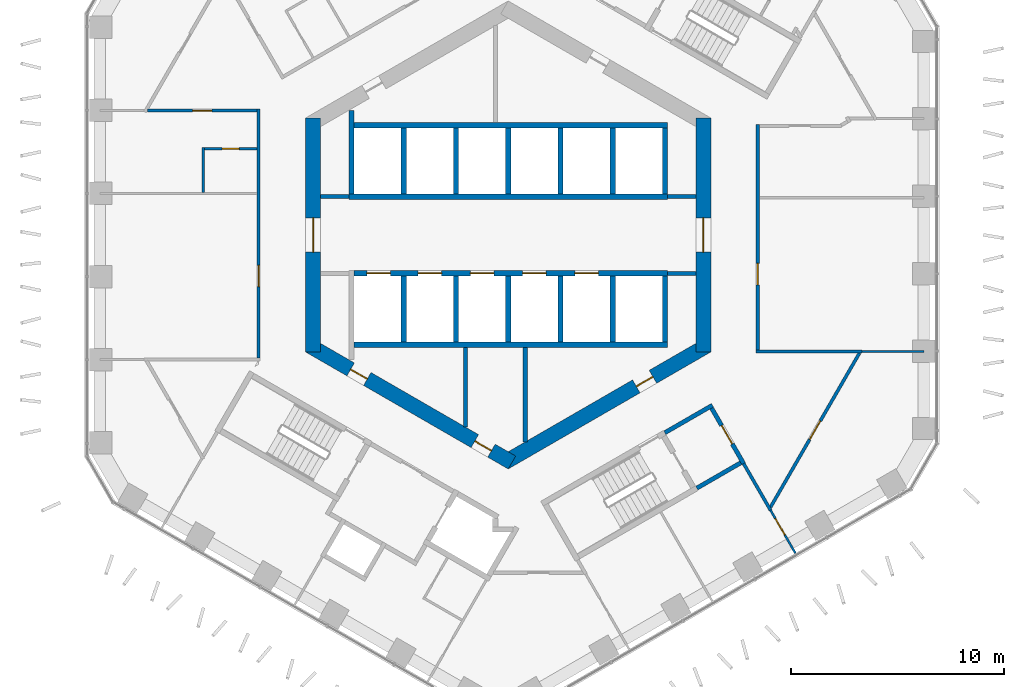
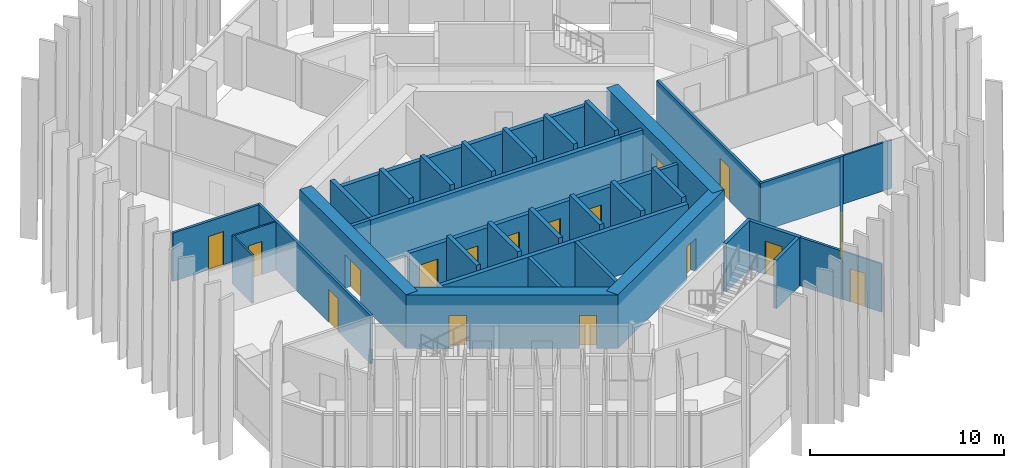
# One storey, part 13 of 19: 39 walls, 17 doors, 17 openings.
"""IFC4 building model written with IfcOpenShell, lengths in metres."""

from ifc_helpers import new_model, si_unit, direction, frame, frame_2d, origin, place, context, subcontext, project, spatial, rectangle, extrude, material, layer, layer_set, type_object, element, fill, save


model = new_model("IFC4")

# Units and contexts
model_context = context("Model", 3, precision=1e-05, world=origin(), true_north=direction((0.0, 1.0)))
body_context = subcontext(model_context, "Body", "Model", "MODEL_VIEW")
ifc_project = project(units=[si_unit("LENGTHUNIT", "METRE"), si_unit("AREAUNIT", "SQUARE_METRE"), si_unit("VOLUMEUNIT", "CUBIC_METRE"), si_unit("PLANEANGLEUNIT", "RADIAN"), si_unit("MASSUNIT", "GRAM", prefix="KILO")], contexts=[model_context])

# Site, building, storey
site_placement = place(None, origin())
site = spatial("IfcSite", under=ifc_project, at=site_placement, CompositionType="ELEMENT")
building_placement = place(site_placement, origin())
building = spatial("IfcBuilding", under=site, at=building_placement, Name="Ayvan Gate Tower", CompositionType="ELEMENT")
storey_placement = place(building_placement, frame((0.0, 0.0, 103.5)))
storey = spatial("IfcBuildingStorey", under=building, at=storey_placement, Name="L27", CompositionType="ELEMENT", Elevation=103.5)

# Wall, opening, door
ifc_material_1 = material(Name="Concrete C70/85", Category="concrete")
ifc_layer_1 = layer(ifc_material_1, 0.699951171875)
ifc_layer_set_1 = layer_set([ifc_layer_1], Name="Concrete C70/85")
wall_type_1 = type_object("IfcWallType", Name="Core wall 700 C70/85", PredefinedType="SHEAR", material=ifc_layer_set_1)
wall_1_placement = place(storey_placement, frame((9.14990234375, -5.48486328125, 0.0), z_axis=(0.0, 0.0, 1.0), x_axis=(0.0, 1.0, 0.0)))
wall_1 = element("IfcWall", 1, at=wall_1_placement, inside=storey, type_object=wall_type_1, Name="CORE-L27-0", PredefinedType="SHEAR", context=body_context, shape_type="SweptSolid", body=[
    extrude(rectangle(XDim=10.9697265625, YDim=0.699951171875, at=frame_2d((5.48486328125, 0.0))), origin(), (0.0, 0.0, 1.0), 3.39990234375),
])
opening_1_placement = place(wall_1_placement, frame((4.684814453125, 0.0, 0.0)))
opening_1 = element("IfcOpeningElement", 2, at=opening_1_placement, cuts=wall_1, Name="Opening L27-D44", PredefinedType="OPENING", context=body_context, shape_type="SweptSolid", body=[
    extrude(rectangle(XDim=1.60009765625, YDim=2.10009765625, at=frame_2d((0.800048828125, 1.050048828125))), frame((0.0, 0.35986328125, 0.0), z_axis=(0.0, -1.0, 0.0), x_axis=(1.0, 0.0, 0.0)), (0.0, 0.0, 1.0), 0.719970703125),
])
ifc_material_2 = material(Name="Timber door leaf", Category="wood")
door_type_1 = type_object("IfcDoorType", Name="DT-1600", OperationType="NOTDEFINED", PredefinedType="DOOR", material=ifc_material_2)
door_1_placement = place(opening_1_placement, origin())
door_1 = element("IfcDoor", 3, at=door_1_placement, inside=storey, type_object=door_type_1, Name="CD-L27-44", OperationType="SINGLE_SWING_LEFT", OverallHeight=2.10009765625, OverallWidth=1.60009765625, PredefinedType="DOOR", context=body_context, shape_type="SweptSolid", body=[
    extrude(rectangle(XDim=1.60009765625, YDim=2.10009765625, at=frame_2d((0.800048828125, 1.050048828125))), frame((0.0, 0.02490234375, 0.0), z_axis=(0.0, -1.0, 0.0), x_axis=(1.0, 0.0, 0.0)), (0.0, 0.0, 1.0), 0.050048828125),
])
fill(opening_1, door_1)

wall_2_placement = place(storey_placement, frame((-9.14990234375, 5.48486328125, 0.0), z_axis=(0.0, 0.0, 1.0), x_axis=(0.0, -1.0, 0.0)))
wall_2 = element("IfcWall", 4, at=wall_2_placement, inside=storey, type_object=wall_type_1, Name="CORE-L27-3", PredefinedType="SHEAR", context=body_context, shape_type="SweptSolid", body=[
    extrude(rectangle(XDim=10.9697265625, YDim=0.699951171875, at=frame_2d((5.48486328125, 0.0))), origin(), (0.0, 0.0, 1.0), 3.39990234375),
])
opening_2_placement = place(wall_2_placement, frame((4.684814453125, 0.0, 0.0)))
opening_2 = element("IfcOpeningElement", 5, at=opening_2_placement, cuts=wall_2, Name="Opening L27-D45", PredefinedType="OPENING", context=body_context, shape_type="SweptSolid", body=[
    extrude(rectangle(XDim=1.60009765625, YDim=2.10009765625, at=frame_2d((0.800048828125, 1.050048828125))), frame((0.0, 0.35986328125, 0.0), z_axis=(0.0, -1.0, 0.0), x_axis=(1.0, 0.0, 0.0)), (0.0, 0.0, 1.0), 0.719970703125),
])
door_2_placement = place(opening_2_placement, origin())
door_2 = element("IfcDoor", 6, at=door_2_placement, inside=storey, type_object=door_type_1, Name="CD-L27-45", OperationType="SINGLE_SWING_RIGHT", OverallHeight=2.10009765625, OverallWidth=1.60009765625, PredefinedType="DOOR", context=body_context, shape_type="SweptSolid", body=[
    extrude(rectangle(XDim=1.60009765625, YDim=2.10009765625, at=frame_2d((0.800048828125, 1.050048828125))), frame((0.0, 0.02490234375, 0.0), z_axis=(0.0, -1.0, 0.0), x_axis=(1.0, 0.0, 0.0)), (0.0, 0.0, 1.0), 0.050048828125),
])
fill(opening_2, door_2)

# Wall, openings, doors
wall_3_placement = place(storey_placement, frame((-9.324951171875, -5.181640625, 0.0), z_axis=(0.0, 0.0, 1.0), x_axis=(0.866023993627, -0.500002442456, 0.0)))
wall_3 = element("IfcWall", 7, at=wall_3_placement, inside=storey, type_object=wall_type_1, Name="CORE-L27-4", PredefinedType="SHEAR", context=body_context, shape_type="SweptSolid", body=[
    extrude(rectangle(XDim=10.9697265625, YDim=0.699951171875, at=frame_2d((5.48486328125, 0.0))), origin(), (0.0, 0.0, 1.0), 3.39990234375),
])
opening_3_placement = place(wall_3_placement, frame((2.2392578125, 0.0, 0.0)))
opening_3 = element("IfcOpeningElement", 8, at=opening_3_placement, cuts=wall_3, Name="Opening L27-D41", PredefinedType="OPENING", context=body_context, shape_type="SweptSolid", body=[
    extrude(rectangle(XDim=0.89990234375, YDim=2.10009765625, at=frame_2d((0.449951171875, 1.050048828125))), frame((0.0, 0.35986328125, 0.0), z_axis=(0.0, -1.0, 0.0), x_axis=(1.0, 0.0, 0.0)), (0.0, 0.0, 1.0), 0.719970703125),
])
opening_4_placement = place(wall_3_placement, frame((8.960205078125, 0.0, 0.0)))
opening_4 = element("IfcOpeningElement", 9, at=opening_4_placement, cuts=wall_3, Name="Opening L27-D42", PredefinedType="OPENING", context=body_context, shape_type="SweptSolid", body=[
    extrude(rectangle(XDim=0.89990234375, YDim=2.10009765625, at=frame_2d((0.449951171875, 1.050048828125))), frame((0.0, 0.35986328125, 0.0), z_axis=(0.0, -1.0, 0.0), x_axis=(1.0, 0.0, 0.0)), (0.0, 0.0, 1.0), 0.719970703125),
])
door_type_2 = type_object("IfcDoorType", Name="DT-900", OperationType="NOTDEFINED", PredefinedType="DOOR", material=ifc_material_2)
door_3_placement = place(opening_3_placement, origin())
door_3 = element("IfcDoor", 10, at=door_3_placement, inside=storey, type_object=door_type_2, Name="CD-L27-41", OperationType="SINGLE_SWING_RIGHT", OverallHeight=2.10009765625, OverallWidth=0.89990234375, PredefinedType="DOOR", context=body_context, shape_type="SweptSolid", body=[
    extrude(rectangle(XDim=0.89990234375, YDim=2.10009765625, at=frame_2d((0.449951171875, 1.050048828125))), frame((0.0, 0.02490234375, 0.0), z_axis=(0.0, -1.0, 0.0), x_axis=(1.0, 0.0, 0.0)), (0.0, 0.0, 1.0), 0.050048828125),
])
fill(opening_3, door_3)
door_4_placement = place(opening_4_placement, origin())
door_4 = element("IfcDoor", 11, at=door_4_placement, inside=storey, type_object=door_type_2, Name="CD-L27-42", OperationType="SINGLE_SWING_LEFT", OverallHeight=2.10009765625, OverallWidth=0.89990234375, PredefinedType="DOOR", context=body_context, shape_type="SweptSolid", body=[
    extrude(rectangle(XDim=0.89990234375, YDim=2.10009765625, at=frame_2d((0.449951171875, 1.050048828125))), frame((0.0, 0.02490234375, 0.0), z_axis=(0.0, -1.0, 0.0), x_axis=(1.0, 0.0, 0.0)), (0.0, 0.0, 1.0), 0.050048828125),
])
fill(opening_4, door_4)

# Wall, opening, door
wall_4_placement = place(storey_placement, frame((-0.175048828125, -10.66650390625, 0.0), z_axis=(0.0, 0.0, 1.0), x_axis=(0.866023993627, 0.500002442456, 0.0)))
wall_4 = element("IfcWall", 12, at=wall_4_placement, inside=storey, type_object=wall_type_1, Name="CORE-L27-5", PredefinedType="SHEAR", context=body_context, shape_type="SweptSolid", body=[
    extrude(rectangle(XDim=10.9697265625, YDim=0.699951171875, at=frame_2d((5.48486328125, 0.0))), origin(), (0.0, 0.0, 1.0), 3.39990234375),
])
opening_5_placement = place(wall_4_placement, frame((7.136962890625, 0.0, 0.0)))
opening_5 = element("IfcOpeningElement", 13, at=opening_5_placement, cuts=wall_4, Name="Opening L27-D43", PredefinedType="OPENING", context=body_context, shape_type="SweptSolid", body=[
    extrude(rectangle(XDim=0.89990234375, YDim=2.10009765625, at=frame_2d((0.449951171875, 1.050048828125))), frame((0.0, 0.35986328125, 0.0), z_axis=(0.0, -1.0, 0.0), x_axis=(1.0, 0.0, 0.0)), (0.0, 0.0, 1.0), 0.719970703125),
])
door_5_placement = place(opening_5_placement, origin())
door_5 = element("IfcDoor", 14, at=door_5_placement, inside=storey, type_object=door_type_2, Name="CD-L27-43", OperationType="SINGLE_SWING_RIGHT", OverallHeight=2.10009765625, OverallWidth=0.89990234375, PredefinedType="DOOR", context=body_context, shape_type="SweptSolid", body=[
    extrude(rectangle(XDim=0.89990234375, YDim=2.10009765625, at=frame_2d((0.449951171875, 1.050048828125))), frame((0.0, 0.02490234375, 0.0), z_axis=(0.0, -1.0, 0.0), x_axis=(1.0, 0.0, 0.0)), (0.0, 0.0, 1.0), 0.050048828125),
])
fill(opening_5, door_5)

ifc_material_3 = material(Name="Plasterboard on steel stud", Category="steel")
ifc_layer_2 = layer(ifc_material_3, 0.14990234375)
ifc_layer_set_2 = layer_set([ifc_layer_2], Name="Plasterboard on steel stud")
wall_type_2 = type_object("IfcWallType", Name="WT-CORR-150", PredefinedType="PARTITIONING", material=ifc_layer_set_2)
wall_5_placement = place(storey_placement, frame((-11.699951171875, 5.9091796875, 0.0), z_axis=(0.0, 0.0, 1.0), x_axis=(0.0, -1.0, 0.0)))
wall_5 = element("IfcWall", 15, at=wall_5_placement, inside=storey, type_object=wall_type_2, Name="IW-L27-013", PredefinedType="PARTITIONING", context=body_context, shape_type="SweptSolid", body=[
    extrude(rectangle(XDim=11.668212890625, YDim=0.14990234375, at=frame_2d((5.833984375, 0.0))), origin(), (0.0, 0.0, 1.0), 3.050048828125),
])
opening_6_placement = place(wall_5_placement, frame((7.331298828125, 0.0, 0.0)))
opening_6 = element("IfcOpeningElement", 16, at=opening_6_placement, cuts=wall_5, Name="Opening L27-D27", PredefinedType="OPENING", context=body_context, shape_type="SweptSolid", body=[
    extrude(rectangle(XDim=1.0, YDim=2.10009765625, at=frame_2d((0.5, 1.050048828125))), frame((0.0, 0.0849609375, 0.0), z_axis=(0.0, -1.0, 0.0), x_axis=(1.0, 0.0, 0.0)), (0.0, 0.0, 1.0), 0.169921875),
])
door_type_3 = type_object("IfcDoorType", Name="DT-1000", OperationType="NOTDEFINED", PredefinedType="DOOR", material=ifc_material_2)
door_6_placement = place(opening_6_placement, origin())
door_6 = element("IfcDoor", 17, at=door_6_placement, inside=storey, type_object=door_type_3, Name="ID-L27-027", OperationType="SINGLE_SWING_RIGHT", OverallHeight=2.10009765625, OverallWidth=1.0, PredefinedType="DOOR", context=body_context, shape_type="SweptSolid", body=[
    extrude(rectangle(XDim=1.0, YDim=2.10009765625, at=frame_2d((0.5, 1.050048828125))), frame((0.0, 0.02490234375, 0.0), z_axis=(0.0, -1.0, 0.0), x_axis=(1.0, 0.0, 0.0)), (0.0, 0.0, 1.0), 0.050048828125),
])
fill(opening_6, door_6)

wall_6_placement = place(storey_placement, frame((-11.77490234375, 5.833984375, 0.0), z_axis=(0.0, 0.0, 1.0), x_axis=(-1.0, 0.0, 0.0)))
wall_6 = element("IfcWall", 18, at=wall_6_placement, inside=storey, type_object=wall_type_2, Name="IW-L27-015", PredefinedType="PARTITIONING", context=body_context, shape_type="SweptSolid", body=[
    extrude(rectangle(XDim=5.139404296875, YDim=0.14990234375, at=frame_2d((2.56982421875, 0.0))), origin(), (0.0, 0.0, 1.0), 3.050048828125),
])
opening_7_placement = place(wall_6_placement, frame((2.11962890625, 0.0, 0.0)))
opening_7 = element("IfcOpeningElement", 19, at=opening_7_placement, cuts=wall_6, Name="Opening L27-D25", PredefinedType="OPENING", context=body_context, shape_type="SweptSolid", body=[
    extrude(rectangle(XDim=0.89990234375, YDim=2.10009765625, at=frame_2d((0.449951171875, 1.050048828125))), frame((0.0, 0.0849609375, 0.0), z_axis=(0.0, -1.0, 0.0), x_axis=(1.0, 0.0, 0.0)), (0.0, 0.0, 1.0), 0.169921875),
])
door_7_placement = place(opening_7_placement, origin())
door_7 = element("IfcDoor", 20, at=door_7_placement, inside=storey, type_object=door_type_2, Name="ID-L27-025", OperationType="SINGLE_SWING_RIGHT", OverallHeight=2.10009765625, OverallWidth=0.89990234375, PredefinedType="DOOR", context=body_context, shape_type="SweptSolid", body=[
    extrude(rectangle(XDim=0.89990234375, YDim=2.10009765625, at=frame_2d((0.449951171875, 1.050048828125))), frame((0.0, 0.02490234375, 0.0), z_axis=(0.0, -1.0, 0.0), x_axis=(1.0, 0.0, 0.0)), (0.0, 0.0, 1.0), 0.050048828125),
])
fill(opening_7, door_7)

# Wall
wall_7_placement = place(storey_placement, frame((11.625, -5.464111328125, 0.0), z_axis=(0.0, 0.0, 1.0), x_axis=(1.0, 0.0, 0.0)))
element("IfcWall", 21, at=wall_7_placement, inside=storey, type_object=wall_type_2, Name="IW-L27-100", PredefinedType="PARTITIONING", context=body_context, shape_type="SweptSolid", body=[
    extrude(rectangle(XDim=4.960205078125, YDim=0.14990234375, at=frame_2d((2.47998046875, 0.0))), origin(), (0.0, 0.0, 1.0), 3.050048828125),
])

# Wall, opening, door
wall_8_placement = place(storey_placement, frame((11.699951171875, -5.38916015625, 0.0), z_axis=(0.0, 0.0, 1.0), x_axis=(0.0, 1.0, 0.0)))
wall_8 = element("IfcWall", 22, at=wall_8_placement, inside=storey, type_object=wall_type_2, Name="IW-L27-101", PredefinedType="PARTITIONING", context=body_context, shape_type="SweptSolid", body=[
    extrude(rectangle(XDim=10.578369140625, YDim=0.14990234375, at=frame_2d((5.2890625, 0.0))), origin(), (0.0, 0.0, 1.0), 3.050048828125),
])
opening_8_placement = place(wall_8_placement, frame((3.0537109375, 0.0, 0.0)))
opening_8 = element("IfcOpeningElement", 23, at=opening_8_placement, cuts=wall_8, Name="Opening L27-D17", PredefinedType="OPENING", context=body_context, shape_type="SweptSolid", body=[
    extrude(rectangle(XDim=1.0, YDim=2.10009765625, at=frame_2d((0.5, 1.050048828125))), frame((0.0, 0.0849609375, 0.0), z_axis=(0.0, -1.0, 0.0), x_axis=(1.0, 0.0, 0.0)), (0.0, 0.0, 1.0), 0.169921875),
])
door_8_placement = place(opening_8_placement, origin())
door_8 = element("IfcDoor", 24, at=door_8_placement, inside=storey, type_object=door_type_3, Name="ID-L27-017", OperationType="SINGLE_SWING_RIGHT", OverallHeight=2.10009765625, OverallWidth=1.0, PredefinedType="DOOR", context=body_context, shape_type="SweptSolid", body=[
    extrude(rectangle(XDim=1.0, YDim=2.10009765625, at=frame_2d((0.5, 1.050048828125))), frame((0.0, 0.02490234375, 0.0), z_axis=(0.0, -1.0, 0.0), x_axis=(1.0, 0.0, 0.0)), (0.0, 0.0, 1.0), 0.050048828125),
])
fill(opening_8, door_8)

# Wall
wall_9_placement = place(storey_placement, frame((12.294921875, -12.895263671875, 0.0), z_axis=(0.0, 0.0, 1.0), x_axis=(-0.499991329354, 0.866030409726, 0.0)))
element("IfcWall", 25, at=wall_9_placement, inside=storey, type_object=wall_type_2, Name="IW-L27-104", PredefinedType="PARTITIONING", context=body_context, shape_type="SweptSolid", body=[
    extrude(rectangle(XDim=2.51513671875, YDim=0.14990234375, at=frame_2d((1.257568359375, 0.0))), origin(), (0.0, 0.0, 1.0), 3.050048828125),
])

# Wall, opening, door
wall_10_placement = place(storey_placement, frame((16.47265625, -5.529052734375, 0.0), z_axis=(0.0, 0.0, 1.0), x_axis=(-0.499985493453, -0.866033778982, 0.0)))
wall_10 = element("IfcWall", 26, at=wall_10_placement, inside=storey, type_object=wall_type_2, Name="IW-L27-117", PredefinedType="PARTITIONING", context=body_context, shape_type="SweptSolid", body=[
    extrude(rectangle(XDim=8.355712890625, YDim=0.14990234375, at=frame_2d((4.177734375, 0.0))), origin(), (0.0, 0.0, 1.0), 3.050048828125),
])
opening_9_placement = place(wall_10_placement, frame((3.677978515625, 0.0, 0.0)))
opening_9 = element("IfcOpeningElement", 27, at=opening_9_placement, cuts=wall_10, Name="Opening L27-D34", PredefinedType="OPENING", context=body_context, shape_type="SweptSolid", body=[
    extrude(rectangle(XDim=1.0, YDim=2.10009765625, at=frame_2d((0.5, 1.050048828125))), frame((0.0, 0.0849609375, 0.0), z_axis=(0.0, -1.0, 0.0), x_axis=(1.0, 0.0, 0.0)), (0.0, 0.0, 1.0), 0.169921875),
])
door_9_placement = place(opening_9_placement, origin())
door_9 = element("IfcDoor", 28, at=door_9_placement, inside=storey, type_object=door_type_3, Name="ID-L27-034", OperationType="SINGLE_SWING_LEFT", OverallHeight=2.10009765625, OverallWidth=1.0, PredefinedType="DOOR", context=body_context, shape_type="SweptSolid", body=[
    extrude(rectangle(XDim=1.0, YDim=2.10009765625, at=frame_2d((0.5, 1.050048828125))), frame((0.0, 0.02490234375, 0.0), z_axis=(0.0, -1.0, 0.0), x_axis=(1.0, 0.0, 0.0)), (0.0, 0.0, 1.0), 0.050048828125),
])
fill(opening_9, door_9)

# Wall
ifc_layer_3 = layer(ifc_material_3, 0.10009765625)
ifc_layer_set_3 = layer_set([ifc_layer_3], Name="Plasterboard on steel stud")
wall_type_3 = type_object("IfcWallType", Name="WT-PART-100", PredefinedType="PARTITIONING", material=ifc_layer_set_3)
wall_11_placement = place(storey_placement, frame((-14.300048828125, 4.0947265625, 0.0), z_axis=(0.0, 0.0, 1.0), x_axis=(0.0, -1.0, 0.0)))
element("IfcWall", 29, at=wall_11_placement, inside=storey, type_object=wall_type_3, Name="IW-L27-008", PredefinedType="PARTITIONING", context=body_context, shape_type="SweptSolid", body=[
    extrude(rectangle(XDim=2.10009765625, YDim=0.10009765625, at=frame_2d((1.050048828125, 0.0))), origin(), (0.0, 0.0, 1.0), 3.050048828125),
])

# Wall, opening, door
wall_12_placement = place(storey_placement, frame((-11.77490234375, 4.044677734375, 0.0), z_axis=(0.0, 0.0, 1.0), x_axis=(-1.0, 0.0, 0.0)))
wall_12 = element("IfcWall", 30, at=wall_12_placement, inside=storey, type_object=wall_type_3, Name="IW-L27-014", PredefinedType="PARTITIONING", context=body_context, shape_type="SweptSolid", body=[
    extrude(rectangle(XDim=2.47509765625, YDim=0.10009765625, at=frame_2d((1.237548828125, 0.0))), origin(), (0.0, 0.0, 1.0), 3.050048828125),
])
opening_10_placement = place(wall_12_placement, frame((0.83740234375, 0.0, 0.0)))
opening_10 = element("IfcOpeningElement", 31, at=opening_10_placement, cuts=wall_12, Name="Opening L27-D26", PredefinedType="OPENING", context=body_context, shape_type="SweptSolid", body=[
    extrude(rectangle(XDim=0.800048828125, YDim=2.10009765625, at=frame_2d((0.39990234375, 1.050048828125))), frame((0.0, 0.06005859375, 0.0), z_axis=(0.0, -1.0, 0.0), x_axis=(1.0, 0.0, 0.0)), (0.0, 0.0, 1.0), 0.1201171875),
])
door_type_4 = type_object("IfcDoorType", Name="DT-800", OperationType="NOTDEFINED", PredefinedType="DOOR", material=ifc_material_2)
door_10_placement = place(opening_10_placement, origin())
door_10 = element("IfcDoor", 32, at=door_10_placement, inside=storey, type_object=door_type_4, Name="ID-L27-026", OperationType="SINGLE_SWING_LEFT", OverallHeight=2.10009765625, OverallWidth=0.800048828125, PredefinedType="DOOR", context=body_context, shape_type="SweptSolid", body=[
    extrude(rectangle(XDim=0.800048828125, YDim=2.10009765625, at=frame_2d((0.39990234375, 1.050048828125))), frame((0.0, 0.02490234375, 0.0), z_axis=(0.0, -1.0, 0.0), x_axis=(1.0, 0.0, 0.0)), (0.0, 0.0, 1.0), 0.050048828125),
])
fill(opening_10, door_10)

wall_13_placement = place(storey_placement, frame((13.462646484375, -14.917724609375, 0.0), z_axis=(0.0, 0.0, 1.0), x_axis=(-0.500018062171, 0.866014975334, 0.0)))
wall_13 = element("IfcWall", 33, at=wall_13_placement, inside=storey, type_object=wall_type_3, Name="IW-L27-106", PredefinedType="PARTITIONING", context=body_context, shape_type="SweptSolid", body=[
    extrude(rectangle(XDim=2.33544921875, YDim=0.10009765625, at=frame_2d((1.167724609375, 0.0))), origin(), (0.0, 0.0, 1.0), 3.050048828125),
])
opening_11_placement = place(wall_13_placement, frame((0.978271484375, 0.0, 0.0)))
opening_11 = element("IfcOpeningElement", 34, at=opening_11_placement, cuts=wall_13, Name="Opening L27-D35", PredefinedType="OPENING", context=body_context, shape_type="SweptSolid", body=[
    extrude(rectangle(XDim=0.89990234375, YDim=2.10009765625, at=frame_2d((0.449951171875, 1.050048828125))), frame((0.0, 0.06005859375, 0.0), z_axis=(0.0, -1.0, 0.0), x_axis=(1.0, 0.0, 0.0)), (0.0, 0.0, 1.0), 0.1201171875),
])
door_11_placement = place(opening_11_placement, origin())
door_11 = element("IfcDoor", 35, at=door_11_placement, inside=storey, type_object=door_type_2, Name="ID-L27-035", OperationType="SINGLE_SWING_RIGHT", OverallHeight=2.10009765625, OverallWidth=0.89990234375, PredefinedType="DOOR", context=body_context, shape_type="SweptSolid", body=[
    extrude(rectangle(XDim=0.89990234375, YDim=2.10009765625, at=frame_2d((0.449951171875, 1.050048828125))), frame((0.0, 0.02490234375, 0.0), z_axis=(0.0, -1.0, 0.0), x_axis=(1.0, 0.0, 0.0)), (0.0, 0.0, 1.0), 0.050048828125),
])
fill(opening_11, door_11)

# Walls
wall_14_placement = place(storey_placement, frame((19.485595703125, -5.464111328125, 0.0), z_axis=(0.0, 0.0, 1.0), x_axis=(-1.0, 0.0, 0.0)))
element("IfcWall", 36, at=wall_14_placement, inside=storey, type_object=wall_type_3, Name="IW-L27-120", PredefinedType="PARTITIONING", context=body_context, shape_type="SweptSolid", body=[
    extrude(rectangle(XDim=2.900390625, YDim=0.10009765625, at=frame_2d((1.4501953125, 0.0))), origin(), (0.0, 0.0, 1.0), 3.050048828125),
])
ifc_layer_4 = layer(ifc_material_3, 0.199951171875)
ifc_layer_set_4 = layer_set([ifc_layer_4], Name="Plasterboard on steel stud")
wall_type_4 = type_object("IfcWallType", Name="WT-RATED-200", PredefinedType="PARTITIONING", material=ifc_layer_set_4)
wall_15_placement = place(storey_placement, frame((-8.800048828125, 1.800048828125, 0.0), z_axis=(0.0, 0.0, 1.0), x_axis=(1.0, 0.0, 0.0)))
element("IfcWall", 37, at=wall_15_placement, inside=storey, type_object=wall_type_4, Name="IW-L27-018", PredefinedType="PARTITIONING", context=body_context, shape_type="SweptSolid", body=[
    extrude(rectangle(XDim=1.3251953125, YDim=0.199951171875, at=frame_2d((0.66259765625, 0.0))), origin(), (0.0, 0.0, 1.0), 3.050048828125),
])
wall_16_placement = place(storey_placement, frame((-2.0, -5.27490234375, 0.0), z_axis=(0.0, 0.0, 1.0), x_axis=(0.0, -1.0, 0.0)))
element("IfcWall", 38, at=wall_16_placement, inside=storey, type_object=wall_type_4, Name="IW-L27-053", PredefinedType="PARTITIONING", context=body_context, shape_type="SweptSolid", body=[
    extrude(rectangle(XDim=3.731689453125, YDim=0.199951171875, at=frame_2d((1.86572265625, 0.0))), origin(), (0.0, 0.0, 1.0), 3.050048828125),
])
wall_17_placement = place(storey_placement, frame((0.800048828125, -5.27490234375, 0.0), z_axis=(0.0, 0.0, 1.0), x_axis=(0.0, -1.0, 0.0)))
element("IfcWall", 39, at=wall_17_placement, inside=storey, type_object=wall_type_4, Name="IW-L27-064", PredefinedType="PARTITIONING", context=body_context, shape_type="SweptSolid", body=[
    extrude(rectangle(XDim=4.424560546875, YDim=0.199951171875, at=frame_2d((2.21240234375, 0.0))), origin(), (0.0, 0.0, 1.0), 3.050048828125),
])
wall_18_placement = place(storey_placement, frame((7.343994140625, -9.27001953125, 0.0), z_axis=(0.0, 0.0, 1.0), x_axis=(0.866005588531, 0.500034319456, 0.0)))
element("IfcWall", 40, at=wall_18_placement, inside=storey, type_object=wall_type_4, Name="IW-L27-086", PredefinedType="PARTITIONING", context=body_context, shape_type="SweptSolid", body=[
    extrude(rectangle(XDim=2.574951171875, YDim=0.199951171875, at=frame_2d((1.28759765625, 0.0))), origin(), (0.0, 0.0, 1.0), 3.050048828125),
])
for number, where, z_axis, x_axis, name in (
    (41, (7.474853515625, 1.800048828125, 0.0), (0.0, 0.0, 1.0), (1.0, 0.0, 0.0), "IW-L27-087"),
    (42, (8.800048828125, -1.800048828125, 0.0), (0.0, 0.0, 1.0), (-1.0, 0.0, 0.0), "IW-L27-094"),
):
    element("IfcWall", number, at=place(storey_placement, frame(where, z_axis=z_axis, x_axis=x_axis)), inside=storey, type_object=wall_type_4, Name=name, PredefinedType="PARTITIONING", context=body_context, shape_type="SweptSolid", body=[
        extrude(rectangle(XDim=1.3251953125, YDim=0.199951171875, at=frame_2d((0.66259765625, 0.0))), origin(), (0.0, 0.0, 1.0), 3.050048828125),
    ])

# Wall, opening, door
wall_19_placement = place(storey_placement, frame((9.537353515625, -8.119140625, 0.0), z_axis=(0.0, 0.0, 1.0), x_axis=(0.499990139034, -0.866031096941, 0.0)))
wall_19 = element("IfcWall", 43, at=wall_19_placement, inside=storey, type_object=wall_type_4, Name="IW-L27-097", PredefinedType="PARTITIONING", context=body_context, shape_type="SweptSolid", body=[
    extrude(rectangle(XDim=3.0, YDim=0.199951171875, at=frame_2d((1.5, 0.0))), origin(), (0.0, 0.0, 1.0), 3.050048828125),
])
opening_12_placement = place(wall_19_placement, frame((0.93505859375, 0.0, 0.0)))
opening_12 = element("IfcOpeningElement", 44, at=opening_12_placement, cuts=wall_19, Name="Opening L27-D15", PredefinedType="OPENING", context=body_context, shape_type="SweptSolid", body=[
    extrude(rectangle(XDim=1.0, YDim=2.10009765625, at=frame_2d((0.5, 1.050048828125))), frame((0.0, 0.10986328125, 0.0), z_axis=(0.0, -1.0, 0.0), x_axis=(1.0, 0.0, 0.0)), (0.0, 0.0, 1.0), 0.219970703125),
])
door_12_placement = place(opening_12_placement, origin())
door_12 = element("IfcDoor", 45, at=door_12_placement, inside=storey, type_object=door_type_3, Name="ID-L27-015", OperationType="SINGLE_SWING_RIGHT", OverallHeight=2.10009765625, OverallWidth=1.0, PredefinedType="DOOR", context=body_context, shape_type="SweptSolid", body=[
    extrude(rectangle(XDim=1.0, YDim=2.10009765625, at=frame_2d((0.5, 1.050048828125))), frame((0.0, 0.02490234375, 0.0), z_axis=(0.0, -1.0, 0.0), x_axis=(1.0, 0.0, 0.0)), (0.0, 0.0, 1.0), 0.050048828125),
])
fill(opening_12, door_12)

# Walls
wall_20_placement = place(storey_placement, frame((10.900634765625, -10.6806640625, 0.0), z_axis=(0.0, 0.0, 1.0), x_axis=(-0.866007538022, -0.500030943131, 0.0)))
element("IfcWall", 46, at=wall_20_placement, inside=storey, type_object=wall_type_4, Name="IW-L27-099", PredefinedType="PARTITIONING", context=body_context, shape_type="SweptSolid", body=[
    extrude(rectangle(XDim=2.374755859375, YDim=0.199951171875, at=frame_2d((1.1875, 0.0))), origin(), (0.0, 0.0, 1.0), 3.050048828125),
])
ifc_material_4 = material(Name="Concrete C50/60", Category="concrete")
ifc_layer_5 = layer(ifc_material_4, 0.25)
ifc_layer_set_5 = layer_set([ifc_layer_5], Name="Concrete C50/60")
wall_type_5 = type_object("IfcWallType", Name="WT-RC-250", PredefinedType="SHEAR", material=ifc_layer_set_5)
wall_21_placement = place(storey_placement, frame((-7.47509765625, 1.800048828125, 0.0), z_axis=(0.0, 0.0, 1.0), x_axis=(1.0, 0.0, 0.0)))
element("IfcWall", 47, at=wall_21_placement, inside=storey, type_object=wall_type_5, Name="IW-L27-026", PredefinedType="SHEAR", context=body_context, shape_type="SweptSolid", body=[
    extrude(rectangle(XDim=14.9501953125, YDim=0.25, at=frame_2d((7.47509765625, 0.0))), origin(), (0.0, 0.0, 1.0), 3.050048828125),
])
wall_22_placement = place(storey_placement, frame((-7.35009765625, 1.925048828125, 0.0), z_axis=(0.0, 0.0, 1.0), x_axis=(0.0, 1.0, 0.0)))
element("IfcWall", 48, at=wall_22_placement, inside=storey, type_object=wall_type_5, Name="IW-L27-028", PredefinedType="SHEAR", context=body_context, shape_type="SweptSolid", body=[
    extrude(rectangle(XDim=3.920654296875, YDim=0.25, at=frame_2d((1.96044921875, 0.0))), origin(), (0.0, 0.0, 1.0), 3.050048828125),
])
for number, where, z_axis, x_axis, name in (
    (49, (-7.22509765625, 5.14990234375, 0.0), (0.0, 0.0, 1.0), (1.0, 0.0, 0.0), "IW-L27-029"),
    (50, (-7.22509765625, -5.14990234375, 0.0), (0.0, 0.0, 1.0), (1.0, 0.0, 0.0), "IW-L27-036"),
):
    element("IfcWall", number, at=place(storey_placement, frame(where, z_axis=z_axis, x_axis=x_axis)), inside=storey, type_object=wall_type_5, Name=name, PredefinedType="SHEAR", context=body_context, shape_type="SweptSolid", body=[
        extrude(rectangle(XDim=14.7001953125, YDim=0.25, at=frame_2d((7.35009765625, 0.0))), origin(), (0.0, 0.0, 1.0), 3.050048828125),
    ])
for number, where, z_axis, x_axis, name in (
    (51, (-4.89990234375, -1.925048828125, 0.0), (0.0, 0.0, 1.0), (0.0, -1.0, 0.0), "IW-L27-037"),
    (52, (-4.89990234375, 5.02490234375, 0.0), (0.0, 0.0, 1.0), (0.0, -1.0, 0.0), "IW-L27-038"),
):
    element("IfcWall", number, at=place(storey_placement, frame(where, z_axis=z_axis, x_axis=x_axis)), inside=storey, type_object=wall_type_5, Name=name, PredefinedType="SHEAR", context=body_context, shape_type="SweptSolid", body=[
        extrude(rectangle(XDim=3.099853515625, YDim=0.25, at=frame_2d((1.5498046875, 0.0))), origin(), (0.0, 0.0, 1.0), 3.39990234375),
    ])

# Wall, openings, doors
wall_23_placement = place(storey_placement, frame((-7.22509765625, -1.800048828125, 0.0), z_axis=(0.0, 0.0, 1.0), x_axis=(1.0, 0.0, 0.0)))
wall_23 = element("IfcWall", 53, at=wall_23_placement, inside=storey, type_object=wall_type_5, Name="IW-L27-039", PredefinedType="SHEAR", context=body_context, shape_type="SweptSolid", body=[
    extrude(rectangle(XDim=14.7001953125, YDim=0.25, at=frame_2d((7.35009765625, 0.0))), origin(), (0.0, 0.0, 1.0), 3.050048828125),
])
opening_13_placement = place(wall_23_placement, frame((0.597412109375, 0.0, 0.0)))
opening_13 = element("IfcOpeningElement", 54, at=opening_13_placement, cuts=wall_23, Name="Opening L27-LD-LR1", PredefinedType="OPENING", context=body_context, shape_type="SweptSolid", body=[
    extrude(rectangle(XDim=1.10009765625, YDim=2.10009765625, at=frame_2d((0.550048828125, 1.050048828125))), frame((0.0, 0.135009765625, 0.0), z_axis=(0.0, -1.0, 0.0), x_axis=(1.0, 0.0, 0.0)), (0.0, 0.0, 1.0), 0.27001953125),
])
opening_14_placement = place(wall_23_placement, frame((3.0, 0.0, 0.0)))
opening_14 = element("IfcOpeningElement", 55, at=opening_14_placement, cuts=wall_23, Name="Opening L27-LD-LR2", PredefinedType="OPENING", context=body_context, shape_type="SweptSolid", body=[
    extrude(rectangle(XDim=1.10009765625, YDim=2.10009765625, at=frame_2d((0.550048828125, 1.050048828125))), frame((0.0, 0.135009765625, 0.0), z_axis=(0.0, -1.0, 0.0), x_axis=(1.0, 0.0, 0.0)), (0.0, 0.0, 1.0), 0.27001953125),
])
opening_15_placement = place(wall_23_placement, frame((5.4501953125, 0.0, 0.0)))
opening_15 = element("IfcOpeningElement", 56, at=opening_15_placement, cuts=wall_23, Name="Opening L27-LD-LR3", PredefinedType="OPENING", context=body_context, shape_type="SweptSolid", body=[
    extrude(rectangle(XDim=1.10009765625, YDim=2.10009765625, at=frame_2d((0.550048828125, 1.050048828125))), frame((0.0, 0.135009765625, 0.0), z_axis=(0.0, -1.0, 0.0), x_axis=(1.0, 0.0, 0.0)), (0.0, 0.0, 1.0), 0.27001953125),
])
opening_16_placement = place(wall_23_placement, frame((7.900146484375, 0.0, 0.0)))
opening_16 = element("IfcOpeningElement", 57, at=opening_16_placement, cuts=wall_23, Name="Opening L27-LD-LR4", PredefinedType="OPENING", context=body_context, shape_type="SweptSolid", body=[
    extrude(rectangle(XDim=1.10009765625, YDim=2.10009765625, at=frame_2d((0.550048828125, 1.050048828125))), frame((0.0, 0.135009765625, 0.0), z_axis=(0.0, -1.0, 0.0), x_axis=(1.0, 0.0, 0.0)), (0.0, 0.0, 1.0), 0.27001953125),
])
opening_17_placement = place(wall_23_placement, frame((10.35009765625, 0.0, 0.0)))
opening_17 = element("IfcOpeningElement", 58, at=opening_17_placement, cuts=wall_23, Name="Opening L27-LD-SV", PredefinedType="OPENING", context=body_context, shape_type="SweptSolid", body=[
    extrude(rectangle(XDim=1.10009765625, YDim=2.10009765625, at=frame_2d((0.550048828125, 1.050048828125))), frame((0.0, 0.135009765625, 0.0), z_axis=(0.0, -1.0, 0.0), x_axis=(1.0, 0.0, 0.0)), (0.0, 0.0, 1.0), 0.27001953125),
])
ifc_material_5 = material(Name="Stainless steel landing door", Category="steel")
door_type_5 = type_object("IfcDoorType", Name="DT-LANDING-1100", OperationType="SLIDING_TO_LEFT", PredefinedType="DOOR", material=ifc_material_5)
door_13_placement = place(opening_13_placement, origin())
door_13 = element("IfcDoor", 59, at=door_13_placement, inside=storey, type_object=door_type_5, Name="ID-L27-001", OperationType="SLIDING_TO_LEFT", OverallHeight=2.10009765625, OverallWidth=1.10009765625, PredefinedType="DOOR", context=body_context, shape_type="SweptSolid", body=[
    extrude(rectangle(XDim=1.10009765625, YDim=2.10009765625, at=frame_2d((0.550048828125, 1.050048828125))), frame((0.0, 0.02490234375, 0.0), z_axis=(0.0, -1.0, 0.0), x_axis=(1.0, 0.0, 0.0)), (0.0, 0.0, 1.0), 0.050048828125),
])
fill(opening_13, door_13)
door_14_placement = place(opening_14_placement, origin())
door_14 = element("IfcDoor", 60, at=door_14_placement, inside=storey, type_object=door_type_5, Name="ID-L27-002", OperationType="SLIDING_TO_LEFT", OverallHeight=2.10009765625, OverallWidth=1.10009765625, PredefinedType="DOOR", context=body_context, shape_type="SweptSolid", body=[
    extrude(rectangle(XDim=1.10009765625, YDim=2.10009765625, at=frame_2d((0.550048828125, 1.050048828125))), frame((0.0, 0.02490234375, 0.0), z_axis=(0.0, -1.0, 0.0), x_axis=(1.0, 0.0, 0.0)), (0.0, 0.0, 1.0), 0.050048828125),
])
fill(opening_14, door_14)
door_15_placement = place(opening_15_placement, origin())
door_15 = element("IfcDoor", 61, at=door_15_placement, inside=storey, type_object=door_type_5, Name="ID-L27-003", OperationType="SLIDING_TO_LEFT", OverallHeight=2.10009765625, OverallWidth=1.10009765625, PredefinedType="DOOR", context=body_context, shape_type="SweptSolid", body=[
    extrude(rectangle(XDim=1.10009765625, YDim=2.10009765625, at=frame_2d((0.550048828125, 1.050048828125))), frame((0.0, 0.02490234375, 0.0), z_axis=(0.0, -1.0, 0.0), x_axis=(1.0, 0.0, 0.0)), (0.0, 0.0, 1.0), 0.050048828125),
])
fill(opening_15, door_15)
door_16_placement = place(opening_16_placement, origin())
door_16 = element("IfcDoor", 62, at=door_16_placement, inside=storey, type_object=door_type_5, Name="ID-L27-004", OperationType="SLIDING_TO_LEFT", OverallHeight=2.10009765625, OverallWidth=1.10009765625, PredefinedType="DOOR", context=body_context, shape_type="SweptSolid", body=[
    extrude(rectangle(XDim=1.10009765625, YDim=2.10009765625, at=frame_2d((0.550048828125, 1.050048828125))), frame((0.0, 0.02490234375, 0.0), z_axis=(0.0, -1.0, 0.0), x_axis=(1.0, 0.0, 0.0)), (0.0, 0.0, 1.0), 0.050048828125),
])
fill(opening_16, door_16)
door_17_placement = place(opening_17_placement, origin())
door_17 = element("IfcDoor", 63, at=door_17_placement, inside=storey, type_object=door_type_5, Name="ID-L27-005", OperationType="SLIDING_TO_LEFT", OverallHeight=2.10009765625, OverallWidth=1.10009765625, PredefinedType="DOOR", context=body_context, shape_type="SweptSolid", body=[
    extrude(rectangle(XDim=1.10009765625, YDim=2.10009765625, at=frame_2d((0.550048828125, 1.050048828125))), frame((0.0, 0.02490234375, 0.0), z_axis=(0.0, -1.0, 0.0), x_axis=(1.0, 0.0, 0.0)), (0.0, 0.0, 1.0), 0.050048828125),
])
fill(opening_17, door_17)

# Walls
for number, where, z_axis, x_axis, name in (
    (64, (-2.449951171875, -1.925048828125, 0.0), (0.0, 0.0, 1.0), (0.0, -1.0, 0.0), "IW-L27-051"),
    (65, (-2.449951171875, 5.02490234375, 0.0), (0.0, 0.0, 1.0), (0.0, -1.0, 0.0), "IW-L27-052"),
    (66, (0.0, -1.925048828125, 0.0), (0.0, 0.0, 1.0), (0.0, -1.0, 0.0), "IW-L27-060"),
    (67, (0.0, 5.02490234375, 0.0), (0.0, 0.0, 1.0), (0.0, -1.0, 0.0), "IW-L27-061"),
    (68, (2.449951171875, -1.925048828125, 0.0), (0.0, 0.0, 1.0), (0.0, -1.0, 0.0), "IW-L27-068"),
    (69, (2.449951171875, 5.02490234375, 0.0), (0.0, 0.0, 1.0), (0.0, -1.0, 0.0), "IW-L27-069"),
    (70, (4.89990234375, -1.925048828125, 0.0), (0.0, 0.0, 1.0), (0.0, -1.0, 0.0), "IW-L27-079"),
    (71, (4.89990234375, 5.02490234375, 0.0), (0.0, 0.0, 1.0), (0.0, -1.0, 0.0), "IW-L27-080"),
    (72, (7.35009765625, -1.925048828125, 0.0), (0.0, 0.0, 1.0), (0.0, -1.0, 0.0), "IW-L27-088"),
    (73, (7.35009765625, 5.02490234375, 0.0), (0.0, 0.0, 1.0), (0.0, -1.0, 0.0), "IW-L27-089"),
):
    element("IfcWall", number, at=place(storey_placement, frame(where, z_axis=z_axis, x_axis=x_axis)), inside=storey, type_object=wall_type_5, Name=name, PredefinedType="SHEAR", context=body_context, shape_type="SweptSolid", body=[
        extrude(rectangle(XDim=3.099853515625, YDim=0.25, at=frame_2d((1.5498046875, 0.0))), origin(), (0.0, 0.0, 1.0), 3.39990234375),
    ])

save(model, "model.ifc")
